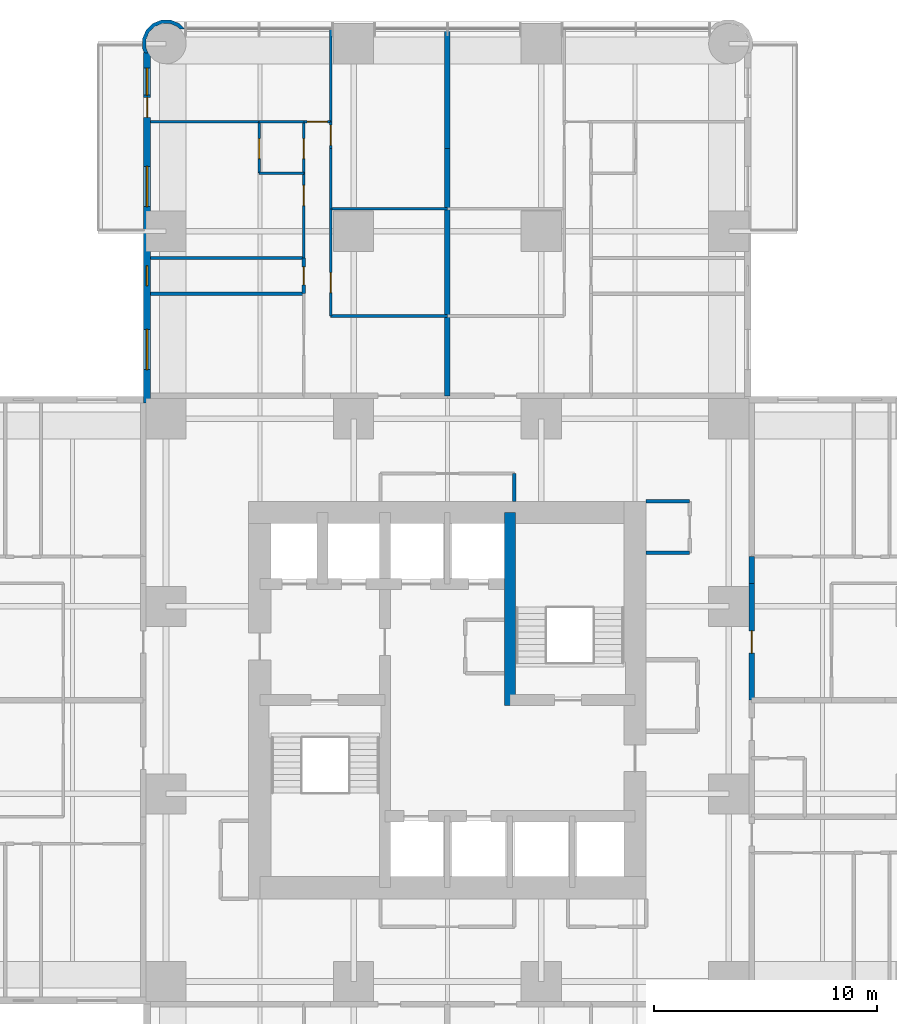
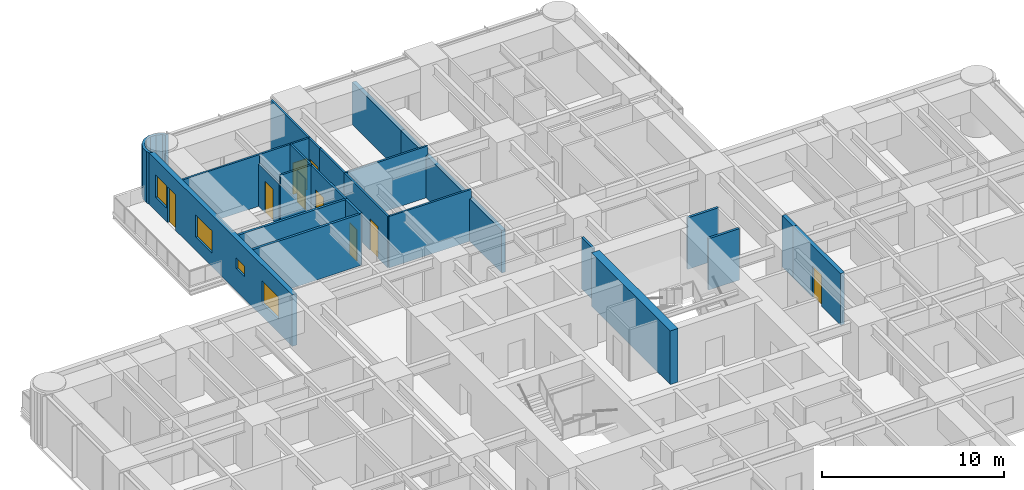
# One storey, part 13 of 17: 28 walls, 9 doors, 4 windows, 13 openings.
"""IFC4 building model written with IfcOpenShell, lengths in metres."""

from ifc_helpers import new_model, si_unit, direction, frame, frame_2d, origin, place, context, subcontext, project, spatial, polyline, rectangle, outline, extrude, material, layer, layer_set, type_object, element, fill, save


model = new_model("IFC4")

# Units and contexts
model_context = context("Model", 3, precision=1e-05, world=origin(), true_north=direction((0.0, 1.0)))
body_context = subcontext(model_context, "Body", "Model", "MODEL_VIEW")
ifc_project = project(units=[si_unit("LENGTHUNIT", "METRE"), si_unit("AREAUNIT", "SQUARE_METRE"), si_unit("VOLUMEUNIT", "CUBIC_METRE"), si_unit("PLANEANGLEUNIT", "RADIAN"), si_unit("MASSUNIT", "GRAM", prefix="KILO")], contexts=[model_context])

# Site, building, storey
site_placement = place(None, origin())
site = spatial("IfcSite", under=ifc_project, at=site_placement, CompositionType="ELEMENT")
building_placement = place(site_placement, origin())
building = spatial("IfcBuilding", under=site, at=building_placement, Name="Torre Alcanfor", CompositionType="ELEMENT")
storey_placement = place(building_placement, frame((0.0, 0.0, 59.699951171875)))
storey = spatial("IfcBuildingStorey", under=building, at=storey_placement, Name="L14", CompositionType="ELEMENT", Elevation=59.699951171875)

# Wall, opening, door
ifc_material_1 = material(Name="Concrete block masonry, hollow blocks NMX-C-404 9 MPa", Category="masonry")
ifc_layer_1 = layer(ifc_material_1, 0.25)
ifc_layer_set_1 = layer_set([ifc_layer_1], Name="Apartment entrance wall 250 EI 60")
wall_type_1 = type_object("IfcWallType", Name="Apartment entrance wall 250 EI 60", PredefinedType="PARTITIONING", material=ifc_layer_set_1)
wall_1_placement = place(storey_placement, frame((43.02490234375, 34.62890625, 0.0), z_axis=(0.0, 0.0, 1.0), x_axis=(0.0, -1.0, 0.0)))
wall_1 = element("IfcWall", 1, at=wall_1_placement, inside=storey, type_object=wall_type_1, Name="Partition L14-CORR / L14-E1-ZAG", PredefinedType="PARTITIONING", context=body_context, shape_type="SweptSolid", body=[
    extrude(rectangle(XDim=5.22900390625, YDim=0.25, at=frame_2d((2.614501953125, 0.0))), origin(), (0.0, 0.0, 1.0), 3.449951171875),
])
opening_1_placement = place(wall_1_placement, frame((2.12890625, 0.0, 0.0)))
opening_1 = element("IfcOpeningElement", 2, at=opening_1_placement, cuts=wall_1, Name="Opening D-A1", PredefinedType="OPENING", context=body_context, shape_type="SweptSolid", body=[
    extrude(rectangle(XDim=1.0, YDim=2.10009765625, at=frame_2d((0.5, 1.050048828125))), frame((0.0, 0.135009765625, 0.0), z_axis=(0.0, -1.0, 0.0), x_axis=(1.0, 0.0, 0.0)), (0.0, 0.0, 1.0), 0.27001953125),
])
ifc_material_2 = material(Name="Galvanised steel sheet ASTM A653", Category="steel")
door_type_1 = type_object("IfcDoorType", Name="Apartment entrance door FD60 1000x2100", OperationType="SINGLE_SWING_LEFT", PredefinedType="DOOR", material=ifc_material_2)
door_1_placement = place(opening_1_placement, origin())
door_1 = element("IfcDoor", 3, at=door_1_placement, inside=storey, type_object=door_type_1, Name="Apartment entrance L14-E1", OperationType="SINGLE_SWING_RIGHT", OverallHeight=2.10009765625, OverallWidth=1.0, PredefinedType="DOOR", context=body_context, shape_type="SweptSolid", body=[
    extrude(rectangle(XDim=1.0, YDim=2.10009765625, at=frame_2d((0.5, 1.050048828125))), frame((0.0, 0.02490234375, 0.0), z_axis=(0.0, -1.0, 0.0), x_axis=(1.0, 0.0, 0.0)), (0.0, 0.0, 1.0), 0.050048828125),
])
fill(opening_1, door_1)

# Walls
wall_2_placement = place(storey_placement, frame((43.02490234375, 35.8291015625, 0.0), z_axis=(0.0, 0.0, 1.0), x_axis=(0.0, -1.0, 0.0)))
element("IfcWall", 4, at=wall_2_placement, inside=storey, type_object=wall_type_1, Name="Partition L14-CORR / L14-E1-HALL", PredefinedType="PARTITIONING", context=body_context, shape_type="SweptSolid", body=[
    extrude(rectangle(XDim=1.2001953125, YDim=0.25, at=frame_2d((0.60009765625, 0.0))), origin(), (0.0, 0.0, 1.0), 3.449951171875),
])
ifc_material_3 = material(Name="Gypsum board on steel studs", Category="steel")
ifc_layer_2 = layer(ifc_material_3, 0.1201171875)
ifc_layer_set_2 = layer_set([ifc_layer_2], Name="Apartment partition 120")
wall_type_2 = type_object("IfcWallType", Name="Apartment partition 120", PredefinedType="PARTITIONING", material=ifc_layer_set_2)
for number, where, z_axis, x_axis, name in (
    (5, (29.39990234375, 46.60009765625, 0.0), (0.0, 0.0, 1.0), (-1.0, 0.0, 0.0), "Partition L14-N1-ZAG / L14-N1-FAMILY"),
    (6, (29.39990234375, 51.39990234375, 0.0), (0.0, 0.0, 1.0), (-1.0, 0.0, 0.0), "Partition L14-N1-FAMILY / L14-N1-KITCHEN"),
):
    element("IfcWall", number, at=place(storey_placement, frame(where, z_axis=z_axis, x_axis=x_axis)), inside=storey, type_object=wall_type_2, Name=name, PredefinedType="PARTITIONING", context=body_context, shape_type="SweptSolid", body=[
        extrude(rectangle(XDim=5.22900390625, YDim=0.1201171875, at=frame_2d((2.614501953125, 0.0))), origin(), (0.0, 0.0, 1.0), 3.449951171875),
    ])

# Wall, opening, door
wall_3_placement = place(storey_placement, frame((24.1708984375, 51.39990234375, 0.0), z_axis=(0.0, 0.0, 1.0), x_axis=(0.0, -1.0, 0.0)))
wall_3 = element("IfcWall", 7, at=wall_3_placement, inside=storey, type_object=wall_type_2, Name="Partition L14-N1-FAMILY / L14-N1-HALL", PredefinedType="PARTITIONING", context=body_context, shape_type="SweptSolid", body=[
    extrude(rectangle(XDim=4.7998046875, YDim=0.1201171875, at=frame_2d((2.39990234375, 0.0))), origin(), (0.0, 0.0, 1.0), 3.449951171875),
])
opening_2_placement = place(wall_3_placement, frame((2.85009765625, 0.0, 0.0)))
opening_2 = element("IfcOpeningElement", 8, at=opening_2_placement, cuts=wall_3, Name="Opening D-R1", PredefinedType="OPENING", context=body_context, shape_type="SweptSolid", body=[
    extrude(rectangle(XDim=0.89990234375, YDim=2.10009765625, at=frame_2d((0.449951171875, 1.050048828125))), frame((0.0, 0.070068359375, 0.0), z_axis=(0.0, -1.0, 0.0), x_axis=(1.0, 0.0, 0.0)), (0.0, 0.0, 1.0), 0.14013671875),
])
ifc_material_4 = material(Name="Timber", Category="wood")
door_type_2 = type_object("IfcDoorType", Name="Internal door 900x2100", OperationType="SINGLE_SWING_LEFT", PredefinedType="DOOR", material=ifc_material_4)
door_2_placement = place(opening_2_placement, origin())
door_2 = element("IfcDoor", 9, at=door_2_placement, inside=storey, type_object=door_type_2, Name="Door L14-N1 family", OperationType="SINGLE_SWING_RIGHT", OverallHeight=2.10009765625, OverallWidth=0.89990234375, PredefinedType="DOOR", context=body_context, shape_type="SweptSolid", body=[
    extrude(rectangle(XDim=0.89990234375, YDim=2.10009765625, at=frame_2d((0.449951171875, 1.050048828125))), frame((0.0, 0.02490234375, 0.0), z_axis=(0.0, -1.0, 0.0), x_axis=(1.0, 0.0, 0.0)), (0.0, 0.0, 1.0), 0.050048828125),
])
fill(opening_2, door_2)

# Wall
wall_4_placement = place(storey_placement, frame((24.1708984375, 54.10009765625, 0.0), z_axis=(0.0, 0.0, 1.0), x_axis=(0.0, -1.0, 0.0)))
element("IfcWall", 10, at=wall_4_placement, inside=storey, type_object=wall_type_2, Name="Partition L14-N1-KITCHEN / L14-N1-HALL", PredefinedType="PARTITIONING", context=body_context, shape_type="SweptSolid", body=[
    extrude(rectangle(XDim=2.7001953125, YDim=0.1201171875, at=frame_2d((1.35009765625, 0.0))), origin(), (0.0, 0.0, 1.0), 3.449951171875),
])

# Wall, opening, door
wall_5_placement = place(storey_placement, frame((24.1708984375, 55.300048828125, 0.0), z_axis=(0.0, 0.0, 1.0), x_axis=(0.0, -1.0, 0.0)))
wall_5 = element("IfcWall", 11, at=wall_5_placement, inside=storey, type_object=wall_type_2, Name="Partition L14-N1-LIVING / L14-N1-HALL", PredefinedType="PARTITIONING", context=body_context, shape_type="SweptSolid", body=[
    extrude(rectangle(XDim=1.199951171875, YDim=0.1201171875, at=frame_2d((0.60009765625, 0.0))), origin(), (0.0, 0.0, 1.0), 3.449951171875),
])
opening_3_placement = place(wall_5_placement, frame((0.14990234375, 0.0, 0.0)))
opening_3 = element("IfcOpeningElement", 12, at=opening_3_placement, cuts=wall_5, Name="Opening D-R1", PredefinedType="OPENING", context=body_context, shape_type="SweptSolid", body=[
    extrude(rectangle(XDim=0.89990234375, YDim=2.10009765625, at=frame_2d((0.449951171875, 1.050048828125))), frame((0.0, 0.070068359375, 0.0), z_axis=(0.0, -1.0, 0.0), x_axis=(1.0, 0.0, 0.0)), (0.0, 0.0, 1.0), 0.14013671875),
])
door_3_placement = place(opening_3_placement, origin())
door_3 = element("IfcDoor", 13, at=door_3_placement, inside=storey, type_object=door_type_2, Name="Door L14-N1 living", OperationType="SINGLE_SWING_RIGHT", OverallHeight=2.10009765625, OverallWidth=0.89990234375, PredefinedType="DOOR", context=body_context, shape_type="SweptSolid", body=[
    extrude(rectangle(XDim=0.89990234375, YDim=2.10009765625, at=frame_2d((0.449951171875, 1.050048828125))), frame((0.0, 0.02490234375, 0.0), z_axis=(0.0, -1.0, 0.0), x_axis=(1.0, 0.0, 0.0)), (0.0, 0.0, 1.0), 0.050048828125),
])
fill(opening_3, door_3)

# Wall
wall_6_placement = place(storey_placement, frame((24.1708984375, 59.449951171875, 0.0), z_axis=(0.0, 0.0, 1.0), x_axis=(0.0, -1.0, 0.0)))
element("IfcWall", 14, at=wall_6_placement, inside=storey, type_object=wall_type_2, Name="Partition L14-N1-LIVING / L14-N1-WGARD", PredefinedType="PARTITIONING", context=body_context, shape_type="SweptSolid", body=[
    extrude(rectangle(XDim=4.14990234375, YDim=0.1201171875, at=frame_2d((2.074951171875, 0.0))), origin(), (0.0, 0.0, 1.0), 3.449951171875),
])

# Wall, opening, door
wall_7_placement = place(storey_placement, frame((22.970947265625, 53.0, 0.0), z_axis=(0.0, 0.0, 1.0), x_axis=(0.0, -1.0, 0.0)))
wall_7 = element("IfcWall", 15, at=wall_7_placement, inside=storey, type_object=wall_type_2, Name="Partition L14-N1-HALL / L14-N1-MASTER", PredefinedType="PARTITIONING", context=body_context, shape_type="SweptSolid", body=[
    extrude(rectangle(XDim=3.800048828125, YDim=0.1201171875, at=frame_2d((1.89990234375, 0.0))), origin(), (0.0, 0.0, 1.0), 3.449951171875),
])
opening_4_placement = place(wall_7_placement, frame((0.550048828125, 0.0, 0.0)))
opening_4 = element("IfcOpeningElement", 16, at=opening_4_placement, cuts=wall_7, Name="Opening D-R1", PredefinedType="OPENING", context=body_context, shape_type="SweptSolid", body=[
    extrude(rectangle(XDim=0.89990234375, YDim=2.10009765625, at=frame_2d((0.449951171875, 1.050048828125))), frame((0.0, 0.070068359375, 0.0), z_axis=(0.0, -1.0, 0.0), x_axis=(1.0, 0.0, 0.0)), (0.0, 0.0, 1.0), 0.14013671875),
])
door_4_placement = place(opening_4_placement, frame((0.89990234375, 0.0, 0.0), z_axis=(0.0, 0.0, 1.0), x_axis=(-1.0, 0.0, 0.0)))
door_4 = element("IfcDoor", 17, at=door_4_placement, inside=storey, type_object=door_type_2, Name="Door L14-N1 master", OperationType="SINGLE_SWING_RIGHT", OverallHeight=2.10009765625, OverallWidth=0.89990234375, PredefinedType="DOOR", context=body_context, shape_type="SweptSolid", body=[
    extrude(rectangle(XDim=0.89990234375, YDim=2.10009765625, at=frame_2d((0.449951171875, 1.050048828125))), frame((0.0, 0.025146484375, 0.0), z_axis=(0.0, -1.0, 0.0), x_axis=(1.0, 0.0, 0.0)), (0.0, 0.0, 1.0), 0.050048828125),
])
fill(opening_4, door_4)

wall_8_placement = place(storey_placement, frame((22.970947265625, 55.300048828125, 0.0), z_axis=(0.0, 0.0, 1.0), x_axis=(0.0, -1.0, 0.0)))
wall_8 = element("IfcWall", 18, at=wall_8_placement, inside=storey, type_object=wall_type_2, Name="Partition L14-N1-HALL / L14-N1-VEST", PredefinedType="PARTITIONING", context=body_context, shape_type="SweptSolid", body=[
    extrude(rectangle(XDim=2.300048828125, YDim=0.1201171875, at=frame_2d((1.14990234375, 0.0))), origin(), (0.0, 0.0, 1.0), 3.449951171875),
])
opening_5_placement = place(wall_8_placement, frame((0.75, 0.0, 0.0)))
opening_5 = element("IfcOpeningElement", 19, at=opening_5_placement, cuts=wall_8, Name="Opening D-R1", PredefinedType="OPENING", context=body_context, shape_type="SweptSolid", body=[
    extrude(rectangle(XDim=0.89990234375, YDim=2.10009765625, at=frame_2d((0.449951171875, 1.050048828125))), frame((0.0, 0.070068359375, 0.0), z_axis=(0.0, -1.0, 0.0), x_axis=(1.0, 0.0, 0.0)), (0.0, 0.0, 1.0), 0.14013671875),
])
door_5_placement = place(opening_5_placement, frame((0.89990234375, 0.0, 0.0), z_axis=(0.0, 0.0, 1.0), x_axis=(-1.0, 0.0, 0.0)))
door_5 = element("IfcDoor", 20, at=door_5_placement, inside=storey, type_object=door_type_2, Name="Door L14-N1 vest", OperationType="SINGLE_SWING_LEFT", OverallHeight=2.10009765625, OverallWidth=0.89990234375, PredefinedType="DOOR", context=body_context, shape_type="SweptSolid", body=[
    extrude(rectangle(XDim=0.89990234375, YDim=2.10009765625, at=frame_2d((0.449951171875, 1.050048828125))), frame((0.0, 0.025146484375, 0.0), z_axis=(0.0, -1.0, 0.0), x_axis=(1.0, 0.0, 0.0)), (0.0, 0.0, 1.0), 0.050048828125),
])
fill(opening_5, door_5)

wall_9_placement = place(storey_placement, frame((24.1708984375, 55.300048828125, 0.0), z_axis=(0.0, 0.0, 1.0), x_axis=(-1.0, 0.0, 0.0)))
wall_9 = element("IfcWall", 21, at=wall_9_placement, inside=storey, type_object=wall_type_2, Name="Partition L14-N1-HALL / L14-N1-WGARD", PredefinedType="PARTITIONING", context=body_context, shape_type="SweptSolid", body=[
    extrude(rectangle(XDim=1.199951171875, YDim=0.1201171875, at=frame_2d((0.60009765625, 0.0))), origin(), (0.0, 0.0, 1.0), 3.449951171875),
])
opening_6_placement = place(wall_9_placement, frame((0.15087890625, 0.0, 0.0)))
opening_6 = element("IfcOpeningElement", 22, at=opening_6_placement, cuts=wall_9, Name="Opening D-R1", PredefinedType="OPENING", context=body_context, shape_type="SweptSolid", body=[
    extrude(rectangle(XDim=0.89990234375, YDim=2.10009765625, at=frame_2d((0.449951171875, 1.050048828125))), frame((0.0, 0.070068359375, 0.0), z_axis=(0.0, -1.0, 0.0), x_axis=(1.0, 0.0, 0.0)), (0.0, 0.0, 1.0), 0.14013671875),
])
door_6_placement = place(opening_6_placement, frame((0.89990234375, 0.0, 0.0), z_axis=(0.0, 0.0, 1.0), x_axis=(-1.0, 0.0, 0.0)))
door_6 = element("IfcDoor", 23, at=door_6_placement, inside=storey, type_object=door_type_2, Name="Door L14-N1 wgard", OperationType="SINGLE_SWING_RIGHT", OverallHeight=2.10009765625, OverallWidth=0.89990234375, PredefinedType="DOOR", context=body_context, shape_type="SweptSolid", body=[
    extrude(rectangle(XDim=0.89990234375, YDim=2.10009765625, at=frame_2d((0.449951171875, 1.050048828125))), frame((0.0, 0.025146484375, 0.0), z_axis=(0.0, -1.0, 0.0), x_axis=(1.0, 0.0, 0.0)), (0.0, 0.0, 1.0), 0.050048828125),
])
fill(opening_6, door_6)

wall_10_placement = place(storey_placement, frame((20.970947265625, 55.300048828125, 0.0), z_axis=(0.0, 0.0, 1.0), x_axis=(0.0, -1.0, 0.0)))
wall_10 = element("IfcWall", 24, at=wall_10_placement, inside=storey, type_object=wall_type_2, Name="Partition L14-N1-MASTER / L14-N1-VEST", PredefinedType="PARTITIONING", context=body_context, shape_type="SweptSolid", body=[
    extrude(rectangle(XDim=2.300048828125, YDim=0.1201171875, at=frame_2d((1.14990234375, 0.0))), origin(), (0.0, 0.0, 1.0), 2.84814453125),
])
opening_7_placement = place(wall_10_placement, frame((0.75, 0.0, 0.0)))
opening_7 = element("IfcOpeningElement", 25, at=opening_7_placement, cuts=wall_10, Name="Opening D-R1", PredefinedType="OPENING", context=body_context, shape_type="SweptSolid", body=[
    extrude(rectangle(XDim=0.89990234375, YDim=2.10009765625, at=frame_2d((0.449951171875, 1.050048828125))), frame((0.0, 0.070068359375, 0.0), z_axis=(0.0, -1.0, 0.0), x_axis=(1.0, 0.0, 0.0)), (0.0, 0.0, 1.0), 0.14013671875),
])
door_7_placement = place(opening_7_placement, origin())
door_7 = element("IfcDoor", 26, at=door_7_placement, inside=storey, type_object=door_type_2, Name="Door L14-N1 master", OperationType="SINGLE_SWING_RIGHT", OverallHeight=2.10009765625, OverallWidth=0.89990234375, PredefinedType="DOOR", context=body_context, shape_type="SweptSolid", body=[
    extrude(rectangle(XDim=0.89990234375, YDim=2.10009765625, at=frame_2d((0.449951171875, 1.050048828125))), frame((0.0, 0.02490234375, 0.0), z_axis=(0.0, -1.0, 0.0), x_axis=(1.0, 0.0, 0.0)), (0.0, 0.0, 1.0), 0.050048828125),
])
fill(opening_7, door_7)

# Walls
wall_11_placement = place(storey_placement, frame((20.970947265625, 53.0, 0.0), z_axis=(0.0, 0.0, 1.0), x_axis=(1.0, 0.0, 0.0)))
element("IfcWall", 27, at=wall_11_placement, inside=storey, type_object=wall_type_2, Name="Partition L14-N1-MASTER / L14-N1-VEST", PredefinedType="PARTITIONING", context=body_context, shape_type="SweptSolid", body=[
    extrude(rectangle(XDim=2.0, YDim=0.1201171875, at=frame_2d((1.0, 0.0))), origin(), (0.0, 0.0, 1.0), 3.449951171875),
])
wall_12_placement = place(storey_placement, frame((16.10009765625, 55.300048828125, 0.0), z_axis=(0.0, 0.0, 1.0), x_axis=(1.0, 0.0, 0.0)))
element("IfcWall", 28, at=wall_12_placement, inside=storey, type_object=wall_type_2, Name="Partition L14-N1-MASTER / L14-N1-WGARD", PredefinedType="PARTITIONING", context=body_context, shape_type="SweptSolid", body=[
    extrude(rectangle(XDim=4.870849609375, YDim=0.1201171875, at=frame_2d((2.435546875, 0.0))), origin(), (0.0, 0.0, 1.0), 3.449951171875),
])
wall_13_placement = place(storey_placement, frame((22.970947265625, 55.300048828125, 0.0), z_axis=(0.0, 0.0, 1.0), x_axis=(-1.0, 0.0, 0.0)))
element("IfcWall", 29, at=wall_13_placement, inside=storey, type_object=wall_type_2, Name="Partition L14-N1-VEST / L14-N1-WGARD", PredefinedType="PARTITIONING", context=body_context, shape_type="SweptSolid", body=[
    extrude(rectangle(XDim=2.0, YDim=0.1201171875, at=frame_2d((1.0, 0.0))), origin(), (0.0, 0.0, 1.0), 3.449951171875),
])
ifc_material_5 = material(Name="Concrete f'c 70 MPa", Category="concrete")
ifc_layer_3 = layer(ifc_material_5, 0.5)
ifc_layer_set_3 = layer_set([ifc_layer_3], Name="Core inner wall 500 f'c70")
wall_type_3 = type_object("IfcWallType", Name="Core inner wall 500 f'c70", PredefinedType="SHEAR", material=ifc_layer_set_3)
wall_14_placement = place(storey_placement, frame((32.199951171875, 29.14990234375, 0.0), z_axis=(0.0, 0.0, 1.0), x_axis=(0.0, 1.0, 0.0)))
element("IfcWall", 30, at=wall_14_placement, inside=storey, type_object=wall_type_3, Name="Core wall X322N L14", PredefinedType="SHEAR", context=body_context, shape_type="SweptSolid", body=[
    extrude(rectangle(XDim=8.650146484375, YDim=0.5, at=frame_2d((4.3251953125, 0.0))), origin(), (0.0, 0.0, 1.0), 3.60009765625),
])

# Wall, openings, door, windows
ifc_material_6 = material(Name="Limestone cladding", Category="masonry")
ifc_layer_4 = layer(ifc_material_6, 0.0400390625, Name="Facing")
ifc_material_7 = material(Name="Ventilated air cavity")
ifc_layer_5 = layer(ifc_material_7, 0.02001953125, ventilated=True, Name="Ventilated joint")
ifc_material_8 = material(Name="Mineral wool insulation", Category="insulation")
ifc_layer_6 = layer(ifc_material_8, 0.10009765625, Name="Insulation")
ifc_material_9 = material(Name="Concrete f'c 35 MPa", Category="concrete")
ifc_layer_7 = layer(ifc_material_9, 0.139892578125, Name="Backing")
ifc_layer_set_4 = layer_set([ifc_layer_4, ifc_layer_5, ifc_layer_6, ifc_layer_7], Name="External wall stone-clad 300")
wall_type_4 = type_object("IfcWallType", Name="External wall stone-clad 300", PredefinedType="SOLIDWALL", material=ifc_layer_set_4)
wall_15_placement = place(storey_placement, frame((15.949951171875, 58.39990234375, 0.0), z_axis=(0.0, 0.0, 1.0), x_axis=(0.0, -1.0, 0.0)))
wall_15 = element("IfcWall", 31, at=wall_15_placement, inside=storey, type_object=wall_type_4, Name="External wall L14 12", PredefinedType="SOLIDWALL", context=body_context, shape_type="SweptSolid", body=[
    extrude(rectangle(XDim=15.699951171875, YDim=0.300048828125, at=frame_2d((7.85009765625, 0.0))), origin(), (0.0, 0.0, 1.0), 3.449951171875),
])
opening_8_placement = place(wall_15_placement, frame((12.39990234375, 0.0, 0.89990234375)))
opening_8 = element("IfcOpeningElement", 32, at=opening_8_placement, cuts=wall_15, Name="Opening W2", PredefinedType="OPENING", context=body_context, shape_type="SweptSolid", body=[
    extrude(rectangle(XDim=1.800048828125, YDim=1.5, at=frame_2d((0.89990234375, 0.75))), frame((0.0, 0.159912109375, 0.0), z_axis=(0.0, -1.0, 0.0), x_axis=(1.0, 0.0, 0.0)), (0.0, 0.0, 1.0), 0.320068359375),
])
opening_9_placement = place(wall_15_placement, frame((9.550048828125, 0.0, 1.5)))
opening_9 = element("IfcOpeningElement", 33, at=opening_9_placement, cuts=wall_15, Name="Opening W3", PredefinedType="OPENING", context=body_context, shape_type="SweptSolid", body=[
    extrude(rectangle(XDim=0.89990234375, YDim=0.699951171875, at=frame_2d((0.449951171875, 0.35009765625))), frame((0.0, 0.159912109375, 0.0), z_axis=(0.0, -1.0, 0.0), x_axis=(1.0, 0.0, 0.0)), (0.0, 0.0, 1.0), 0.320068359375),
])
opening_10_placement = place(wall_15_placement, frame((5.10009765625, 0.0, 0.89990234375)))
opening_10 = element("IfcOpeningElement", 34, at=opening_10_placement, cuts=wall_15, Name="Opening W2", PredefinedType="OPENING", context=body_context, shape_type="SweptSolid", body=[
    extrude(rectangle(XDim=1.800048828125, YDim=1.5, at=frame_2d((0.89990234375, 0.75))), frame((0.0, 0.159912109375, 0.0), z_axis=(0.0, -1.0, 0.0), x_axis=(1.0, 0.0, 0.0)), (0.0, 0.0, 1.0), 0.320068359375),
])
opening_11_placement = place(wall_15_placement, frame((2.0, 0.0, 0.0)))
opening_11 = element("IfcOpeningElement", 35, at=opening_11_placement, cuts=wall_15, Name="Opening D-B1", PredefinedType="OPENING", context=body_context, shape_type="SweptSolid", body=[
    extrude(rectangle(XDim=0.89990234375, YDim=2.39990234375, at=frame_2d((0.449951171875, 1.199951171875))), frame((0.0, 0.159912109375, 0.0), z_axis=(0.0, -1.0, 0.0), x_axis=(1.0, 0.0, 0.0)), (0.0, 0.0, 1.0), 0.320068359375),
])
opening_12_placement = place(wall_15_placement, frame((0.699951171875, 0.0, 0.89990234375)))
opening_12 = element("IfcOpeningElement", 36, at=opening_12_placement, cuts=wall_15, Name="Opening W4", PredefinedType="OPENING", context=body_context, shape_type="SweptSolid", body=[
    extrude(rectangle(XDim=1.199951171875, YDim=1.5, at=frame_2d((0.60009765625, 0.75))), frame((0.0, 0.159912109375, 0.0), z_axis=(0.0, -1.0, 0.0), x_axis=(1.0, 0.0, 0.0)), (0.0, 0.0, 1.0), 0.320068359375),
])
ifc_material_10 = material(Name="Aluminium and glass", Category="aluminium")
door_type_3 = type_object("IfcDoorType", Name="Balcony door glazed 900x2400", OperationType="SINGLE_SWING_LEFT", PredefinedType="DOOR", material=ifc_material_10)
door_8_placement = place(opening_11_placement, origin())
door_8 = element("IfcDoor", 37, at=door_8_placement, inside=storey, type_object=door_type_3, Name="Balcony door L14-N1", OperationType="SINGLE_SWING_RIGHT", OverallHeight=2.39990234375, OverallWidth=0.89990234375, PredefinedType="DOOR", context=body_context, shape_type="SweptSolid", body=[
    extrude(rectangle(XDim=0.89990234375, YDim=2.39990234375, at=frame_2d((0.449951171875, 1.199951171875))), frame((0.0, 0.02490234375, 0.0), z_axis=(0.0, -1.0, 0.0), x_axis=(1.0, 0.0, 0.0)), (0.0, 0.0, 1.0), 0.050048828125),
])
fill(opening_11, door_8)
ifc_material_11 = material(Name="Aluminium frame with clear double glazing", Category="aluminium")
window_type_1 = type_object("IfcWindowType", Name="Window bathroom 900x700", PartitioningType="SINGLE_PANEL", PredefinedType="WINDOW", material=ifc_material_11)
window_1_placement = place(opening_9_placement, origin())
window_1 = element("IfcWindow", 38, at=window_1_placement, inside=storey, type_object=window_type_1, Name="Window W3 L14-N1", OverallHeight=0.699951171875, OverallWidth=0.89990234375, PartitioningType="SINGLE_PANEL", PredefinedType="WINDOW", context=body_context, shape_type="SweptSolid", body=[
    extrude(rectangle(XDim=0.89990234375, YDim=0.699951171875, at=frame_2d((0.449951171875, 0.35009765625))), frame((0.0, 0.030029296875, 0.0), z_axis=(0.0, -1.0, 0.0), x_axis=(1.0, 0.0, 0.0)), (0.0, 0.0, 1.0), 0.06005859375),
])
fill(opening_9, window_1)
ifc_material_12 = material(Name="Aluminium frame with clear double glazing", Category="aluminium")
window_type_2 = type_object("IfcWindowType", Name="Window bedroom 1200x1500", PartitioningType="SINGLE_PANEL", PredefinedType="WINDOW", material=ifc_material_12)
window_2_placement = place(opening_12_placement, origin())
window_2 = element("IfcWindow", 39, at=window_2_placement, inside=storey, type_object=window_type_2, Name="Window W4 L14-N1", OverallHeight=1.5, OverallWidth=1.199951171875, PartitioningType="SINGLE_PANEL", PredefinedType="WINDOW", context=body_context, shape_type="SweptSolid", body=[
    extrude(rectangle(XDim=1.199951171875, YDim=1.5, at=frame_2d((0.60009765625, 0.75))), frame((0.0, 0.030029296875, 0.0), z_axis=(0.0, -1.0, 0.0), x_axis=(1.0, 0.0, 0.0)), (0.0, 0.0, 1.0), 0.06005859375),
])
fill(opening_12, window_2)
ifc_material_13 = material(Name="Aluminium frame with clear double glazing", Category="aluminium")
window_type_3 = type_object("IfcWindowType", Name="Window bedroom 1800x1500", PartitioningType="SINGLE_PANEL", PredefinedType="WINDOW", material=ifc_material_13)
window_3_placement = place(opening_8_placement, origin())
window_3 = element("IfcWindow", 40, at=window_3_placement, inside=storey, type_object=window_type_3, Name="Window W2 L14-N1", OverallHeight=1.5, OverallWidth=1.800048828125, PartitioningType="SINGLE_PANEL", PredefinedType="WINDOW", context=body_context, shape_type="SweptSolid", body=[
    extrude(rectangle(XDim=1.800048828125, YDim=1.5, at=frame_2d((0.89990234375, 0.75))), frame((0.0, 0.030029296875, 0.0), z_axis=(0.0, -1.0, 0.0), x_axis=(1.0, 0.0, 0.0)), (0.0, 0.0, 1.0), 0.06005859375),
])
fill(opening_8, window_3)
window_4_placement = place(opening_10_placement, origin())
window_4 = element("IfcWindow", 41, at=window_4_placement, inside=storey, type_object=window_type_3, Name="Window W2 L14-N1", OverallHeight=1.5, OverallWidth=1.800048828125, PartitioningType="SINGLE_PANEL", PredefinedType="WINDOW", context=body_context, shape_type="SweptSolid", body=[
    extrude(rectangle(XDim=1.800048828125, YDim=1.5, at=frame_2d((0.89990234375, 0.75))), frame((0.0, 0.030029296875, 0.0), z_axis=(0.0, -1.0, 0.0), x_axis=(1.0, 0.0, 0.0)), (0.0, 0.0, 1.0), 0.06005859375),
])
fill(opening_10, window_4)

# Walls
ifc_material_14 = material(Name="Concrete block masonry, hollow blocks NMX-C-404 9 MPa", Category="masonry")
ifc_layer_8 = layer(ifc_material_14, 0.25)
ifc_layer_set_5 = layer_set([ifc_layer_8], Name="Party wall 250 EI 60")
wall_type_5 = type_object("IfcWallType", Name="Party wall 250 EI 60", PredefinedType="PARTITIONING", material=ifc_layer_set_5)
wall_16_placement = place(storey_placement, frame((29.39990234375, 43.02490234375, 0.0), z_axis=(0.0, 0.0, 1.0), x_axis=(0.0, 1.0, 0.0)))
element("IfcWall", 42, at=wall_16_placement, inside=storey, type_object=wall_type_5, Name="Partition L14-N1-ZAG / L14-N2-ZAG", PredefinedType="PARTITIONING", context=body_context, shape_type="SweptSolid", body=[
    extrude(rectangle(XDim=3.5751953125, YDim=0.25, at=frame_2d((1.78759765625, 0.0))), origin(), (0.0, 0.0, 1.0), 2.84814453125),
])
wall_17_placement = place(storey_placement, frame((29.39990234375, 46.60009765625, 0.0), z_axis=(0.0, 0.0, 1.0), x_axis=(0.0, 1.0, 0.0)))
element("IfcWall", 43, at=wall_17_placement, inside=storey, type_object=wall_type_5, Name="Partition L14-N1-FAMILY / L14-N2-FAMILY", PredefinedType="PARTITIONING", context=body_context, shape_type="SweptSolid", body=[
    extrude(rectangle(XDim=4.7998046875, YDim=0.25, at=frame_2d((2.39990234375, 0.0))), origin(), (0.0, 0.0, 1.0), 2.84814453125),
])
wall_18_placement = place(storey_placement, frame((29.39990234375, 51.39990234375, 0.0), z_axis=(0.0, 0.0, 1.0), x_axis=(0.0, 1.0, 0.0)))
element("IfcWall", 44, at=wall_18_placement, inside=storey, type_object=wall_type_5, Name="Partition L14-N1-KITCHEN / L14-N2-KITCHEN", PredefinedType="PARTITIONING", context=body_context, shape_type="SweptSolid", body=[
    extrude(rectangle(XDim=2.7001953125, YDim=0.25, at=frame_2d((1.35009765625, 0.0))), origin(), (0.0, 0.0, 1.0), 2.84814453125),
])
wall_19_placement = place(storey_placement, frame((29.39990234375, 54.10009765625, 0.0), z_axis=(0.0, 0.0, 1.0), x_axis=(0.0, 1.0, 0.0)))
element("IfcWall", 45, at=wall_19_placement, inside=storey, type_object=wall_type_5, Name="Partition L14-N1-LIVING / L14-N2-LIVING", PredefinedType="PARTITIONING", context=body_context, shape_type="SweptSolid", body=[
    extrude(rectangle(XDim=5.349853515625, YDim=0.25, at=frame_2d((2.6748046875, 0.0))), origin(), (0.0, 0.0, 1.0), 2.84814453125),
])
ifc_material_15 = material(Name="Concrete block masonry, hollow blocks NMX-C-404 9 MPa", Category="masonry")
ifc_layer_9 = layer(ifc_material_15, 0.14990234375)
ifc_layer_set_6 = layer_set([ifc_layer_9], Name="Residents' room partition 150")
wall_type_6 = type_object("IfcWallType", Name="Residents' room partition 150", PredefinedType="PARTITIONING", material=ifc_layer_set_6)
wall_20_placement = place(storey_placement, frame((32.39990234375, 38.300048828125, 0.0), z_axis=(0.0, 0.0, 1.0), x_axis=(0.0, 1.0, 0.0)))
element("IfcWall", 46, at=wall_20_placement, inside=storey, type_object=wall_type_6, Name="Partition L14-CORR / L14-G01", PredefinedType="PARTITIONING", context=body_context, shape_type="SweptSolid", body=[
    extrude(rectangle(XDim=1.25, YDim=0.14990234375, at=frame_2d((0.625, 0.0))), origin(), (0.0, 0.0, 1.0), 3.449951171875),
])
for number, where, z_axis, x_axis, name in (
    (47, (38.300048828125, 36.0, 0.0), (0.0, 0.0, 1.0), (1.0, 0.0, 0.0), "Partition L14-CORR / L14-G03"),
    (48, (40.25, 38.300048828125, 0.0), (0.0, 0.0, 1.0), (-1.0, 0.0, 0.0), "Partition L14-CORR / L14-G03"),
):
    element("IfcWall", number, at=place(storey_placement, frame(where, z_axis=z_axis, x_axis=x_axis)), inside=storey, type_object=wall_type_6, Name=name, PredefinedType="PARTITIONING", context=body_context, shape_type="SweptSolid", body=[
        extrude(rectangle(XDim=1.949951171875, YDim=0.14990234375, at=frame_2d((0.97509765625, 0.0))), origin(), (0.0, 0.0, 1.0), 3.449951171875),
    ])
ifc_layer_10 = layer(ifc_material_6, 0.0400390625, Name="Facing")
ifc_layer_11 = layer(ifc_material_7, 0.02001953125, ventilated=True, Name="Ventilated joint")
ifc_layer_12 = layer(ifc_material_8, 0.10009765625, Name="Insulation")
ifc_layer_13 = layer(ifc_material_9, 0.139892578125, Name="Backing")
ifc_layer_set_7 = layer_set([ifc_layer_10, ifc_layer_11, ifc_layer_12, ifc_layer_13], Name="Rounded corner pier stone-clad 300")
wall_type_7 = type_object("IfcWallType", Name="Rounded corner pier stone-clad 300", PredefinedType="SOLIDWALL", material=ifc_layer_set_7)
wall_21_placement = place(storey_placement, frame((17.56659392, 59.410519256, 0.0), z_axis=(0.0, 0.0, 1.0), x_axis=(-0.377204953059, 0.926129809145, 0.0)))
element("IfcWall", 49, at=wall_21_placement, inside=storey, type_object=wall_type_7, Name="Corner pier L14 20", PredefinedType="SOLIDWALL", context=body_context, shape_type="SweptSolid", body=[
    extrude(outline(polyline([(-0.2696128896034876, 2.017259773730947), (-0.3700074466497617, 1.8406682313445892), (-0.10228391712117135, 1.84234447704578), (0.22963955939869596, 1.7071548112521016), (0.48448400216769655, 1.4552078217286728), (0.623591424193435, 1.1249193736895309), (0.6256953869469392, 0.7663384814459974), (0.4905057211532608, 0.43441500492612994), (0.23855873162983204, 0.17957056215712927), (0.0901868556189969, 0.11689353267829827), (0.010896458992050665, -0.07778365620699182), (0.024462813618203284, -0.08330911938656994), (0.3293875956360306, 0.04530321995417183), (0.4799529344667901, 0.19750641360159463), (0.4990544088845829, 0.19262629437695172), (0.507600976756774, 0.22526044306054033), (0.6260470289213595, 0.34520397592848606), (0.7850882774402169, 0.7356888832512456), (0.7822913942554518, 1.1572920874778148), (0.618751344370654, 1.5460366857348715), (0.3187584973433468, 1.8424700131097647), (-0.07172640997941271, 2.0015112616286217), (-0.24006791291721008, 2.0004813020300714), (-0.2696128896034876, 2.017259773730947)])), origin(), (0.0, 0.0, 1.0), 3.449951171875),
])

# Wall, opening, door
ifc_material_16 = material(Name="Cement board on steel studs", Category="steel")
ifc_layer_14 = layer(ifc_material_16, 0.14990234375)
ifc_layer_set_8 = layer_set([ifc_layer_14], Name="Wet area partition 150")
wall_type_8 = type_object("IfcWallType", Name="Wet area partition 150", PredefinedType="PARTITIONING", material=ifc_layer_set_8)
wall_22_placement = place(storey_placement, frame((22.970947265625, 49.199951171875, 0.0), z_axis=(0.0, 0.0, 1.0), x_axis=(0.0, -1.0, 0.0)))
wall_22 = element("IfcWall", 50, at=wall_22_placement, inside=storey, type_object=wall_type_8, Name="Partition L14-N1-HALL / L14-N1-BATH1", PredefinedType="PARTITIONING", context=body_context, shape_type="SweptSolid", body=[
    extrude(rectangle(XDim=1.599853515625, YDim=0.14990234375, at=frame_2d((0.7998046875, 0.0))), origin(), (0.0, 0.0, 1.0), 3.449951171875),
])
opening_13_placement = place(wall_22_placement, frame((0.39990234375, 0.0, 0.0)))
opening_13 = element("IfcOpeningElement", 51, at=opening_13_placement, cuts=wall_22, Name="Opening D-R2", PredefinedType="OPENING", context=body_context, shape_type="SweptSolid", body=[
    extrude(rectangle(XDim=0.800048828125, YDim=2.10009765625, at=frame_2d((0.39990234375, 1.050048828125))), frame((0.0, 0.0849609375, 0.0), z_axis=(0.0, -1.0, 0.0), x_axis=(1.0, 0.0, 0.0)), (0.0, 0.0, 1.0), 0.169921875),
])
ifc_material_17 = material(Name="Timber", Category="wood")
door_type_4 = type_object("IfcDoorType", Name="Bathroom door 800x2100", OperationType="SINGLE_SWING_LEFT", PredefinedType="DOOR", material=ifc_material_17)
door_9_placement = place(opening_13_placement, frame((0.800048828125, 0.0, 0.0), z_axis=(0.0, 0.0, 1.0), x_axis=(-1.0, 0.0, 0.0)))
door_9 = element("IfcDoor", 52, at=door_9_placement, inside=storey, type_object=door_type_4, Name="Door L14-N1 bath1", OperationType="SINGLE_SWING_RIGHT", OverallHeight=2.10009765625, OverallWidth=0.800048828125, PredefinedType="DOOR", context=body_context, shape_type="SweptSolid", body=[
    extrude(rectangle(XDim=0.800048828125, YDim=2.10009765625, at=frame_2d((0.400146484375, 1.050048828125))), frame((0.0, 0.025146484375, 0.0), z_axis=(0.0, -1.0, 0.0), x_axis=(1.0, 0.0, 0.0)), (0.0, 0.0, 1.0), 0.050048828125),
])
fill(opening_13, door_9)

# Walls
for number, where, z_axis, x_axis, name in (
    (53, (22.970947265625, 47.60009765625, 0.0), (0.0, 0.0, 1.0), (-1.0, 0.0, 0.0), "Partition L14-N1-BED2 / L14-N1-BATH1"),
    (54, (22.970947265625, 49.199951171875, 0.0), (0.0, 0.0, 1.0), (-1.0, 0.0, 0.0), "Partition L14-N1-BATH1 / L14-N1-MASTER"),
):
    element("IfcWall", number, at=place(storey_placement, frame(where, z_axis=z_axis, x_axis=x_axis)), inside=storey, type_object=wall_type_8, Name=name, PredefinedType="PARTITIONING", context=body_context, shape_type="SweptSolid", body=[
        extrude(rectangle(XDim=6.870849609375, YDim=0.14990234375, at=frame_2d((3.435546875, 0.0))), origin(), (0.0, 0.0, 1.0), 3.449951171875),
    ])

save(model, "model.ifc")
